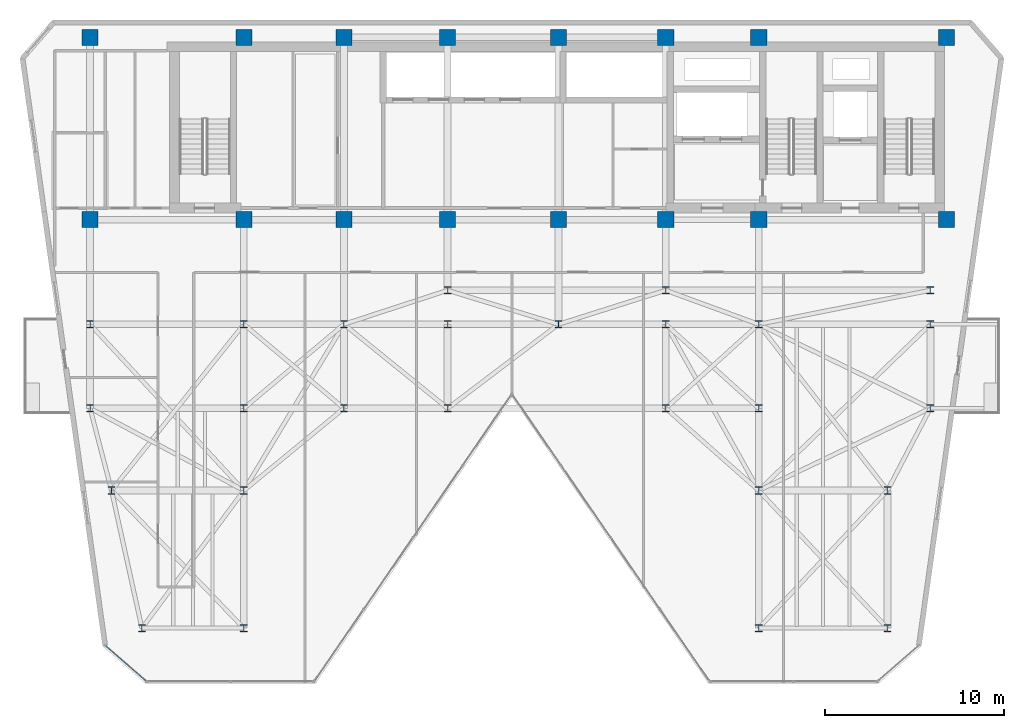
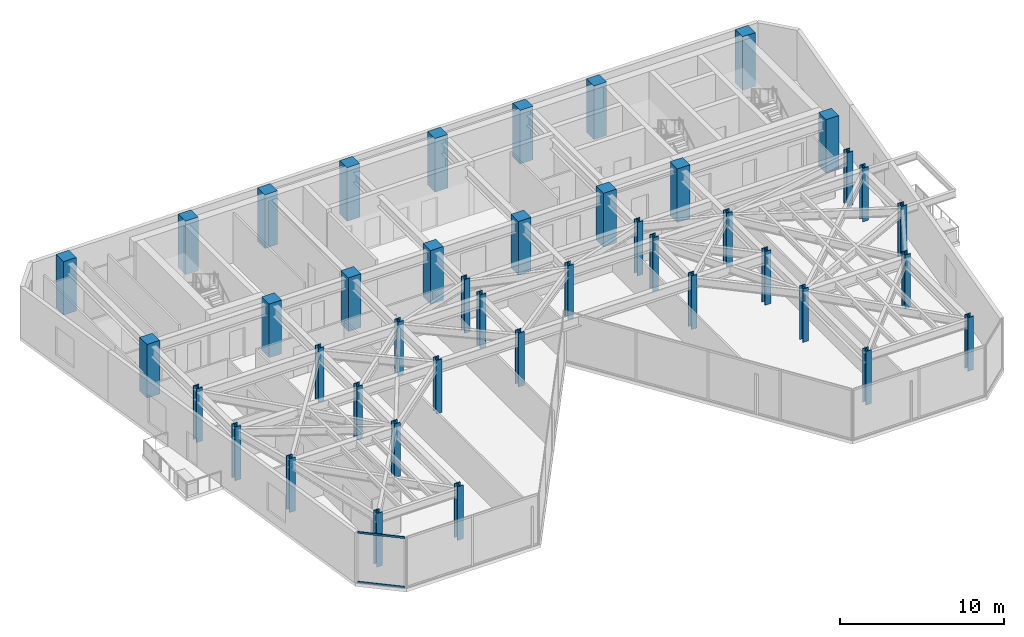
# One storey, part 1 of 21: 42 columns, 2 members, 1 element without a shape of its own.
"""IFC4 building model written with IfcOpenShell, lengths in metres."""

from ifc_helpers import new_model, si_unit, direction, frame, origin, origin_2d, place, context, subcontext, project, spatial, rectangle, hollow_rectangle, i_section, extrude, material, layer, layer_set, material_profile, profile_set, type_object, element, aggregate, save


model = new_model("IFC4")

# Units and contexts
model_context = context("Model", 3, precision=1e-05, world=origin(), true_north=direction((0.0, 1.0)))
body_context = subcontext(model_context, "Body", "Model", "MODEL_VIEW")
ifc_project = project(units=[si_unit("LENGTHUNIT", "METRE"), si_unit("AREAUNIT", "SQUARE_METRE"), si_unit("VOLUMEUNIT", "CUBIC_METRE"), si_unit("PLANEANGLEUNIT", "RADIAN"), si_unit("MASSUNIT", "GRAM", prefix="KILO")], contexts=[model_context])

# Site, building, storey
site_placement = place(None, origin())
site = spatial("IfcSite", under=ifc_project, at=site_placement, CompositionType="ELEMENT")
building_placement = place(site_placement, origin())
building = spatial("IfcBuilding", under=site, at=building_placement, Name="Kravanh Interchange Tower", CompositionType="ELEMENT")
storey_placement = place(building_placement, frame((0.0, 0.0, 192.5)))
storey = spatial("IfcBuildingStorey", under=building, at=storey_placement, Name="L46", CompositionType="ELEMENT", Elevation=192.5)

# Columns
ifc_material_1 = material(Name="Concrete C60/75", Category="concrete")
ifc_material_profile_1 = material_profile(ifc_material_1, rectangle(XDim=0.89990234375, YDim=0.89990234375, at=origin_2d()), Name="RC900X900")
ifc_profile_set_1 = profile_set([ifc_material_profile_1], Name="Concrete C60/75")
column_type_1 = type_object("IfcColumnType", Name="Column RC900X900 Concrete C60/75", PredefinedType="COLUMN", material=ifc_profile_set_1)
for number, where, z_axis, x_axis, name in (
    (1, (66.5, 47.550048828125, 0.0), (0.0, 0.0, 1.0), (1.0, 0.0, 0.0), "L46 Column CS01"),
    (2, (56.0, 47.550048828125, 0.0), (0.0, 0.0, 1.0), (1.0, 0.0, 0.0), "L46 Column CS02"),
    (3, (66.5, 37.35009765625, 0.0), (0.0, 0.0, 1.0), (1.0, 0.0, 0.0), "L46 Column CS03"),
    (4, (56.0, 37.35009765625, 0.0), (0.0, 0.0, 1.0), (1.0, 0.0, 0.0), "L46 Column CS04"),
    (5, (50.800048828125, 47.550048828125, 0.0), (0.0, 0.0, 1.0), (1.0, 0.0, 0.0), "L46 Column CS05"),
    (6, (50.800048828125, 37.35009765625, 0.0), (0.0, 0.0, 1.0), (1.0, 0.0, 0.0), "L46 Column CS06"),
    (7, (44.800048828125, 37.35009765625, 0.0), (0.0, 0.0, 1.0), (1.0, 0.0, 0.0), "L46 Column CS07"),
    (8, (44.800048828125, 47.550048828125, 0.0), (0.0, 0.0, 1.0), (1.0, 0.0, 0.0), "L46 Column CS08"),
    (9, (38.60009765625, 37.35009765625, 0.0), (0.0, 0.0, 1.0), (1.0, 0.0, 0.0), "L46 Column CS09"),
    (10, (38.60009765625, 47.550048828125, 0.0), (0.0, 0.0, 1.0), (1.0, 0.0, 0.0), "L46 Column CS10"),
    (11, (32.800048828125, 37.35009765625, 0.0), (0.0, 0.0, 1.0), (1.0, 0.0, 0.0), "L46 Column CS11"),
    (12, (32.800048828125, 47.550048828125, 0.0), (0.0, 0.0, 1.0), (1.0, 0.0, 0.0), "L46 Column CS12"),
    (13, (27.199951171875, 37.35009765625, 0.0), (0.0, 0.0, 1.0), (1.0, 0.0, 0.0), "L46 Column CS13"),
    (14, (27.199951171875, 47.550048828125, 0.0), (0.0, 0.0, 1.0), (1.0, 0.0, 0.0), "L46 Column CS14"),
    (15, (18.60009765625, 37.35009765625, 0.0), (0.0, 0.0, 1.0), (1.0, 0.0, 0.0), "L46 Column CS17"),
    (16, (18.60009765625, 47.550048828125, 0.0), (0.0, 0.0, 1.0), (1.0, 0.0, 0.0), "L46 Column CS18"),
):
    element("IfcColumn", number, at=place(storey_placement, frame(where, z_axis=z_axis, x_axis=x_axis)), inside=storey, type_object=column_type_1, Name=name, PredefinedType="COLUMN", context=body_context, shape_type="SweptSolid", body=[
        extrude(rectangle(XDim=0.89990234375, YDim=0.89990234375, at=origin_2d()), origin(), (0.0, 0.0, 1.0), 4.0),
    ])
ifc_material_2 = material(Name="Structural Steel S355", Category="steel")
ifc_material_profile_2 = material_profile(ifc_material_2, i_section(OverallWidth=0.408935546875, OverallDepth=0.425048828125, WebThickness=0.03271484375, FlangeThickness=0.052490234375, FilletRadius=0.030029296875, at=origin_2d()), Name="W14X283")
ifc_profile_set_2 = profile_set([ifc_material_profile_2], Name="Structural Steel S355")
column_type_2 = type_object("IfcColumnType", Name="Column W14X283 Structural Steel S355", PredefinedType="COLUMN", material=ifc_profile_set_2)
for number, where, z_axis, x_axis, name in (
    (17, (21.5, 14.5, 0.0), (0.0, 0.0, 1.0), (1.0, 0.0, 0.0), "L46 Column CZ3_1"),
    (18, (18.60009765625, 26.800048828125, 0.0), (0.0, 0.0, 1.0), (1.0, 0.0, 0.0), "L46 Column CZ3_11"),
    (19, (27.199951171875, 26.800048828125, 0.0), (0.0, 0.0, 1.0), (1.0, 0.0, 0.0), "L46 Column CZ3_12"),
    (20, (32.800048828125, 26.800048828125, 0.0), (0.0, 0.0, 1.0), (1.0, 0.0, 0.0), "L46 Column CZ3_13"),
    (21, (38.60009765625, 26.800048828125, 0.0), (0.0, 0.0, 1.0), (1.0, 0.0, 0.0), "L46 Column CZ3_13B"),
    (22, (50.800048828125, 26.800048828125, 0.0), (0.0, 0.0, 1.0), (1.0, 0.0, 0.0), "L46 Column CZ3_14"),
    (23, (56.0, 26.800048828125, 0.0), (0.0, 0.0, 1.0), (1.0, 0.0, 0.0), "L46 Column CZ3_15"),
    (24, (65.60009765625, 26.800048828125, 0.0), (0.0, 0.0, 1.0), (1.0, 0.0, 0.0), "L46 Column CZ3_16"),
    (25, (18.60009765625, 31.5, 0.0), (0.0, 0.0, 1.0), (1.0, 0.0, 0.0), "L46 Column CZ3_17"),
    (26, (27.199951171875, 31.5, 0.0), (0.0, 0.0, 1.0), (1.0, 0.0, 0.0), "L46 Column CZ3_18"),
    (27, (32.800048828125, 31.5, 0.0), (0.0, 0.0, 1.0), (1.0, 0.0, 0.0), "L46 Column CZ3_19"),
    (28, (27.199951171875, 14.5, 0.0), (0.0, 0.0, 1.0), (1.0, 0.0, 0.0), "L46 Column CZ3_2"),
    (29, (38.60009765625, 31.5, 0.0), (0.0, 0.0, 1.0), (1.0, 0.0, 0.0), "L46 Column CZ3_20"),
    (30, (44.800048828125, 31.5, 0.0), (0.0, 0.0, 1.0), (1.0, 0.0, 0.0), "L46 Column CZ3_21"),
    (31, (50.800048828125, 31.5, 0.0), (0.0, 0.0, 1.0), (1.0, 0.0, 0.0), "L46 Column CZ3_22"),
    (32, (56.0, 31.5, 0.0), (0.0, 0.0, 1.0), (1.0, 0.0, 0.0), "L46 Column CZ3_23"),
    (33, (65.60009765625, 31.5, 0.0), (0.0, 0.0, 1.0), (1.0, 0.0, 0.0), "L46 Column CZ3_24"),
    (34, (56.0, 14.5, 0.0), (0.0, 0.0, 1.0), (1.0, 0.0, 0.0), "L46 Column CZ3_3"),
    (35, (63.199951171875, 14.5, 0.0), (0.0, 0.0, 1.0), (1.0, 0.0, 0.0), "L46 Column CZ3_4"),
    (36, (19.800048828125, 22.199951171875, 0.0), (0.0, 0.0, 1.0), (1.0, 0.0, 0.0), "L46 Column CZ3_5"),
    (37, (27.199951171875, 22.199951171875, 0.0), (0.0, 0.0, 1.0), (1.0, 0.0, 0.0), "L46 Column CZ3_6"),
    (38, (56.0, 22.199951171875, 0.0), (0.0, 0.0, 1.0), (1.0, 0.0, 0.0), "L46 Column CZ3_8"),
    (39, (63.199951171875, 22.199951171875, 0.0), (0.0, 0.0, 1.0), (1.0, 0.0, 0.0), "L46 Column CZ3_9"),
    (40, (38.60009765625, 33.39990234375, 0.0), (0.0, 0.0, 1.0), (1.0, 0.0, 0.0), "L46 Column CZ3_M1"),
    (41, (50.800048828125, 33.39990234375, 0.0), (0.0, 0.0, 1.0), (1.0, 0.0, 0.0), "L46 Column CZ3_M2"),
    (42, (65.60009765625, 33.39990234375, 0.0), (0.0, 0.0, 1.0), (1.0, 0.0, 0.0), "L46 Column CZ3_M3"),
):
    element("IfcColumn", number, at=place(storey_placement, frame(where, z_axis=z_axis, x_axis=x_axis)), inside=storey, type_object=column_type_2, Name=name, PredefinedType="COLUMN", context=body_context, shape_type="SweptSolid", body=[
        extrude(i_section(OverallWidth=0.408935546875, OverallDepth=0.425048828125, WebThickness=0.03271484375, FlangeThickness=0.052490234375, FilletRadius=0.030029296875, at=origin_2d()), origin(), (0.0, 0.0, 1.0), 4.0),
    ])

# Curtain wall, members
ifc_material_3 = material(Name="Anodised Bronze Aluminium", Category="aluminium")
ifc_layer = layer(ifc_material_3, 0.179931640625)
ifc_layer_set = layer_set([ifc_layer], Name="Unitised Curtain Wall System CW-Z3 Upper Office")
curtain_wall_type = type_object("IfcCurtainWallType", Name="Unitised Curtain Wall System CW-Z3 Upper Office", PredefinedType="NOTDEFINED", material=ifc_layer_set)
curtain_wall_placement = place(storey_placement, origin())
curtain_wall = element("IfcCurtainWall", 43, at=curtain_wall_placement, inside=storey, type_object=curtain_wall_type, Name="L46 Unitised Curtain Wall CW-L46-06", PredefinedType="NOTDEFINED")
ifc_material_4 = material(Name="Anodised Bronze Aluminium", Category="aluminium")
ifc_material_profile_3 = material_profile(ifc_material_4, hollow_rectangle(XDim=0.06005859375, YDim=0.139892578125, WallThickness=0.00390625, at=origin_2d()), Name="ALU60X140X4")
ifc_profile_set_3 = profile_set([ifc_material_profile_3], Name="Anodised Bronze Aluminium")
member_type = type_object("IfcMemberType", Name="Curtain Wall Transom ALU60X140X4 Bronze", PredefinedType="USERDEFINED", material=ifc_profile_set_3)
member_1_placement = place(storey_placement, frame((21.713623046875, 11.559326171875, 0.030029296875), z_axis=(-0.754708504141, 0.656060266879, 0.0), x_axis=(-0.656060266879, -0.754708504141, 0.0)))
member_1 = element("IfcMember", 44, at=member_1_placement, type_object=member_type, Name="CW-Z3 transom 1.1", ObjectType="TRANSOM", PredefinedType="USERDEFINED", context=body_context, shape_type="SweptSolid", body=[
    extrude(hollow_rectangle(XDim=0.06005859375, YDim=0.139892578125, WallThickness=0.00390625, at=origin_2d()), origin(), (0.0, 0.0, 1.0), 2.9599609375),
])
member_2_placement = place(storey_placement, frame((21.713623046875, 11.559326171875, 3.72509765625), z_axis=(-0.754708504141, 0.656060266879, 0.0), x_axis=(-0.656060266879, -0.754708504141, 0.0)))
member_2 = element("IfcMember", 45, at=member_2_placement, type_object=member_type, Name="CW-Z3 transom 1.2", ObjectType="TRANSOM", PredefinedType="USERDEFINED", context=body_context, shape_type="SweptSolid", body=[
    extrude(hollow_rectangle(XDim=0.06005859375, YDim=0.139892578125, WallThickness=0.00390625, at=origin_2d()), origin(), (0.0, 0.0, 1.0), 2.9599609375),
])
aggregate(curtain_wall, [member_1, member_2])

save(model, "model.ifc")
